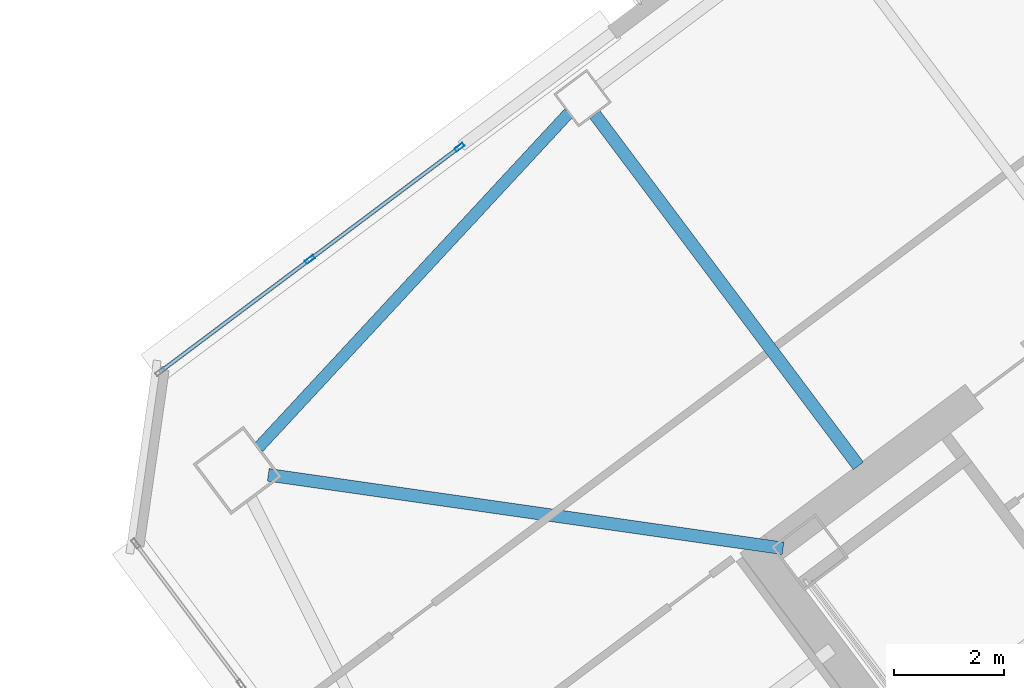
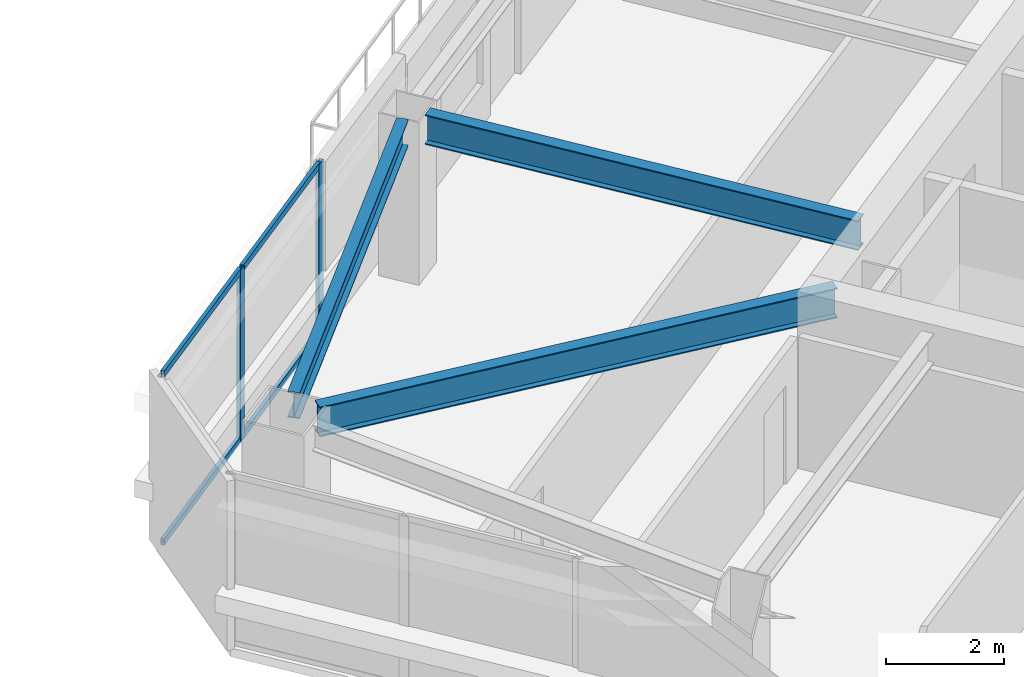
# One storey, part 23 of 44: 6 members, 3 beams, 1 element without a shape of its own.
"""IFC4 building model written with IfcOpenShell, lengths in metres."""

from ifc_helpers import new_model, si_unit, direction, frame, origin, origin_2d, place, context, subcontext, project, spatial, hollow_rectangle, i_section, extrude, material, material_profile, profile_set, type_object, element, aggregate, save


model = new_model("IFC4")

# Units and contexts
model_context = context("Model", 3, precision=1e-05, world=origin(), true_north=direction((0.0, 1.0)))
body_context = subcontext(model_context, "Body", "Model", "MODEL_VIEW")
ifc_project = project(units=[si_unit("LENGTHUNIT", "METRE"), si_unit("AREAUNIT", "SQUARE_METRE"), si_unit("VOLUMEUNIT", "CUBIC_METRE"), si_unit("PLANEANGLEUNIT", "RADIAN"), si_unit("MASSUNIT", "GRAM", prefix="KILO")], contexts=[model_context])

# Site, building, storey
site_placement = place(None, origin())
site = spatial("IfcSite", under=ifc_project, at=site_placement, CompositionType="ELEMENT")
building_placement = place(site_placement, origin())
building = spatial("IfcBuilding", under=site, at=building_placement, Name="Tashvorn Skyway Center", CompositionType="ELEMENT")
storey_placement = place(building_placement, frame((0.0, 0.0, 181.85009765625)))
storey = spatial("IfcBuildingStorey", under=building, at=storey_placement, Name="L49", CompositionType="ELEMENT", Elevation=181.85009765625)

# Beams
ifc_material_1 = material(Name="Steel ASTM A992 Grade 50", Category="steel")
ifc_material_profile_1 = material_profile(ifc_material_1, i_section(OverallWidth=0.22998046875, OverallDepth=0.616943359375, WebThickness=0.01318359375, FlangeThickness=0.022216796875, at=origin_2d()), Name="W24X94")
ifc_profile_set_1 = profile_set([ifc_material_profile_1], Name="Steel ASTM A992 Grade 50")
beam_type_1 = type_object("IfcBeamType", Name="BM-BEAM-W24X94", PredefinedType="BEAM", material=ifc_profile_set_1)
beam_1_placement = place(storey_placement, frame((94.26416015625, 34.8193359375, 3.0615234375), z_axis=(0.989950009213, -0.141417747326, 0.0), x_axis=(0.141417747326, 0.989950009213, 0.0)))
element("IfcBeam", 1, at=beam_1_placement, inside=storey, type_object=beam_type_1, Name="Tower 2 L49 Primary Floor Girder MC-NW", PredefinedType="BEAM", context=body_context, shape_type="SweptSolid", body=[
    extrude(i_section(OverallWidth=0.22998046875, OverallDepth=0.616943359375, WebThickness=0.01318359375, FlangeThickness=0.022216796875, at=origin_2d()), origin(), (0.0, 0.0, 1.0), 9.470947265625),
])
beam_2_placement = place(storey_placement, frame((100.2119140625, 41.384033203125, 3.0615234375), z_axis=(0.599995117266, -0.800003662027, 0.0), x_axis=(0.800003662027, 0.599995117266, 0.0)))
element("IfcBeam", 2, at=beam_2_placement, inside=storey, type_object=beam_type_1, Name="Tower 2 L49 Primary Floor Girder FC-N2", PredefinedType="BEAM", context=body_context, shape_type="SweptSolid", body=[
    extrude(i_section(OverallWidth=0.22998046875, OverallDepth=0.616943359375, WebThickness=0.01318359375, FlangeThickness=0.022216796875, at=origin_2d()), origin(), (0.0, 0.0, 1.0), 8.000244140625),
])
ifc_material_profile_2 = material_profile(ifc_material_1, i_section(OverallWidth=0.2109375, OverallDepth=0.5390625, WebThickness=0.01171875, FlangeThickness=0.018798828125, at=origin_2d()), Name="W21X73")
ifc_profile_set_2 = profile_set([ifc_material_profile_2], Name="Steel ASTM A992 Grade 50")
beam_type_2 = type_object("IfcBeamType", Name="BM-SPANDREL-W21X73", PredefinedType="SPANDREL", material=ifc_profile_set_2)
beam_3_placement = place(storey_placement, frame((99.73828125, 41.40869140625, 3.100341796875), z_axis=(-0.680119661736, -0.733101115618, 0.0), x_axis=(0.733101115618, -0.680119661736, 0.0)))
element("IfcBeam", 3, at=beam_3_placement, inside=storey, type_object=beam_type_2, Name="Tower 2 L49 Spandrel Beam 09", PredefinedType="SPANDREL", context=body_context, shape_type="SweptSolid", body=[
    extrude(i_section(OverallWidth=0.2109375, OverallDepth=0.5390625, WebThickness=0.01171875, FlangeThickness=0.018798828125, at=origin_2d()), origin(), (0.0, 0.0, 1.0), 8.308349609375),
])

# Curtain wall, members
ifc_material_2 = material(Name="Thermally broken bronze-anodized aluminium 6063-T6", Category="aluminium")
curtain_wall_type = type_object("IfcCurtainWallType", Name="CW-CW-Z4", PredefinedType="NOTDEFINED", material=ifc_material_2)
curtain_wall_placement = place(storey_placement, origin())
curtain_wall = element("IfcCurtainWall", 4, at=curtain_wall_placement, inside=storey, type_object=curtain_wall_type, Name="Tower 2 L49 North Curtain Wall L Glazing Group 1", PredefinedType="NOTDEFINED")
ifc_material_profile_3 = material_profile(ifc_material_2, hollow_rectangle(XDim=0.070068359375, YDim=0.179931640625, WallThickness=0.00390625, at=origin_2d()), Name="ALU-MULL-70x180")
ifc_profile_set_3 = profile_set([ifc_material_profile_3], Name="Thermally broken bronze-anodized aluminium 6063-T6")
member_type_1 = type_object("IfcMemberType", Name="CWM-CW-Z4", PredefinedType="MULLION", material=ifc_profile_set_3)
member_1_placement = place(storey_placement, frame((95.022705078125, 38.741943359375, 0.0), z_axis=(0.0, 0.0, 1.0), x_axis=(-0.60000232334, 0.79999825749, 0.0)))
member_1 = element("IfcMember", 5, at=member_1_placement, type_object=member_type_1, Name="CW-Z4 mullion 2", PredefinedType="MULLION", context=body_context, shape_type="SweptSolid", body=[
    extrude(hollow_rectangle(XDim=0.070068359375, YDim=0.179931640625, WallThickness=0.00390625, at=origin_2d()), origin(), (0.0, 0.0, 1.0), 3.5498046875),
])
member_2_placement = place(storey_placement, frame((97.749267578125, 40.787109375, 0.0), z_axis=(0.0, 0.0, 1.0), x_axis=(-0.60000232334, 0.79999825749, 0.0)))
member_2 = element("IfcMember", 6, at=member_2_placement, type_object=member_type_1, Name="CW-Z4 mullion 3", PredefinedType="MULLION", context=body_context, shape_type="SweptSolid", body=[
    extrude(hollow_rectangle(XDim=0.070068359375, YDim=0.179931640625, WallThickness=0.00390625, at=origin_2d()), origin(), (0.0, 0.0, 1.0), 3.5498046875),
])
ifc_material_profile_4 = material_profile(ifc_material_2, hollow_rectangle(XDim=0.070068359375, YDim=0.1298828125, WallThickness=0.00390625, at=origin_2d()), Name="ALU-TRAN-70x130")
ifc_profile_set_4 = profile_set([ifc_material_profile_4], Name="Thermally broken bronze-anodized aluminium 6063-T6")
member_type_2 = type_object("IfcMemberType", Name="CWT-CW-Z4", PredefinedType="USERDEFINED", material=ifc_profile_set_4)
member_3_placement = place(storey_placement, frame((92.323974609375, 36.718017578125, 0.034912109375), z_axis=(0.80000877595, 0.599988298555, 0.0), x_axis=(-0.599988298555, 0.80000877595, 0.0)))
member_3 = element("IfcMember", 7, at=member_3_placement, type_object=member_type_2, Name="CW-Z4 transom 1.1", ObjectType="TRANSOM", PredefinedType="USERDEFINED", context=body_context, shape_type="SweptSolid", body=[
    extrude(hollow_rectangle(XDim=0.070068359375, YDim=0.1298828125, WallThickness=0.00390625, at=origin_2d()), origin(), (0.0, 0.0, 1.0), 3.33837890625),
])
member_4_placement = place(storey_placement, frame((92.323974609375, 36.718017578125, 3.514892578125), z_axis=(0.80000877595, 0.599988298555, 0.0), x_axis=(-0.599988298555, 0.80000877595, 0.0)))
member_4 = element("IfcMember", 8, at=member_4_placement, type_object=member_type_2, Name="CW-Z4 transom 1.2", ObjectType="TRANSOM", PredefinedType="USERDEFINED", context=body_context, shape_type="SweptSolid", body=[
    extrude(hollow_rectangle(XDim=0.070068359375, YDim=0.1298828125, WallThickness=0.00390625, at=origin_2d()), origin(), (0.0, 0.0, 1.0), 3.33837890625),
])
member_5_placement = place(storey_placement, frame((95.050537109375, 38.762939453125, 0.034912109375), z_axis=(0.799973672278, 0.600035102024, 0.0), x_axis=(-0.600035102024, 0.799973672278, 0.0)))
member_5 = element("IfcMember", 9, at=member_5_placement, type_object=member_type_2, Name="CW-Z4 transom 2.1", ObjectType="TRANSOM", PredefinedType="USERDEFINED", context=body_context, shape_type="SweptSolid", body=[
    extrude(hollow_rectangle(XDim=0.070068359375, YDim=0.1298828125, WallThickness=0.00390625, at=origin_2d()), origin(), (0.0, 0.0, 1.0), 3.33837890625),
])
member_6_placement = place(storey_placement, frame((95.050537109375, 38.762939453125, 3.514892578125), z_axis=(0.799973672278, 0.600035102024, 0.0), x_axis=(-0.600035102024, 0.799973672278, 0.0)))
member_6 = element("IfcMember", 10, at=member_6_placement, type_object=member_type_2, Name="CW-Z4 transom 2.2", ObjectType="TRANSOM", PredefinedType="USERDEFINED", context=body_context, shape_type="SweptSolid", body=[
    extrude(hollow_rectangle(XDim=0.070068359375, YDim=0.1298828125, WallThickness=0.00390625, at=origin_2d()), origin(), (0.0, 0.0, 1.0), 3.33837890625),
])
aggregate(curtain_wall, [member_1, member_2, member_3, member_4, member_5, member_6])

save(model, "model.ifc")
